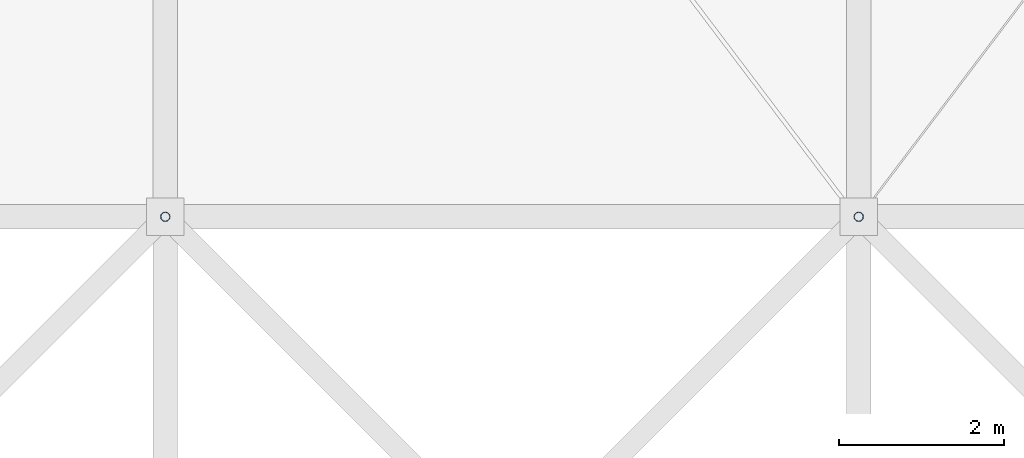
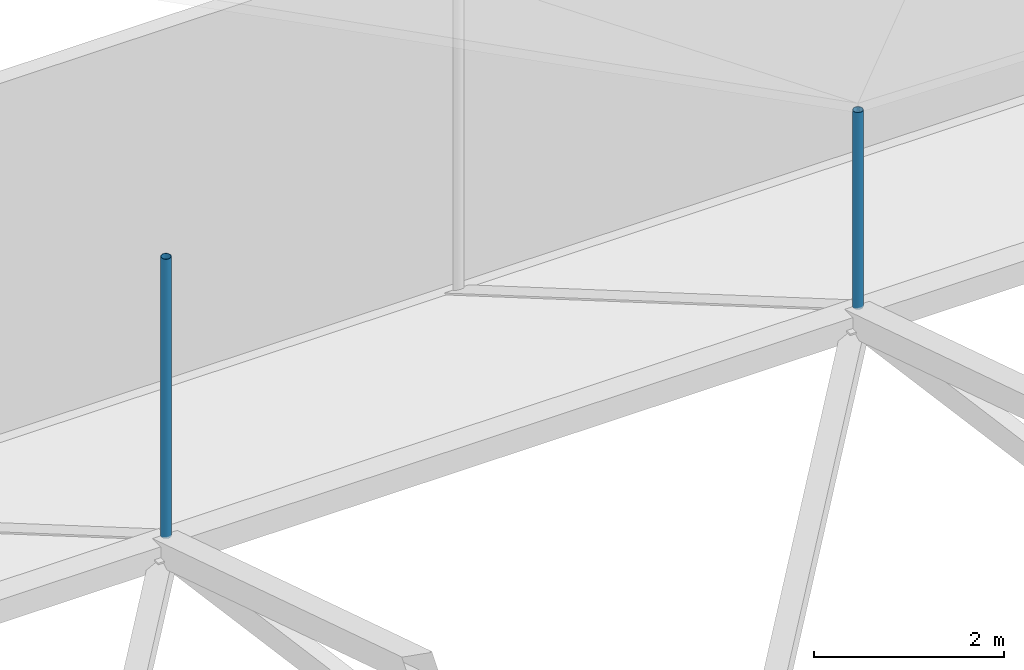
# One storey, part 97 of 111: 2 discrete accessories.
"""IFC4 building model written with IfcOpenShell, lengths in metres."""

from ifc_helpers import new_model, si_unit, direction, frame, origin, origin_2d, place, context, subcontext, project, spatial, hollow_circle, extrude, material, material_profile, profile_set, type_object, element, save


model = new_model("IFC4")

# Units and contexts
model_context = context("Model", 3, precision=1e-05, world=origin(), true_north=direction((0.0, 1.0)))
body_context = subcontext(model_context, "Body", "Model", "MODEL_VIEW")
ifc_project = project(units=[si_unit("LENGTHUNIT", "METRE"), si_unit("AREAUNIT", "SQUARE_METRE"), si_unit("VOLUMEUNIT", "CUBIC_METRE"), si_unit("PLANEANGLEUNIT", "RADIAN"), si_unit("MASSUNIT", "GRAM", prefix="KILO")], contexts=[model_context])

# Site, building, storey
site_placement = place(None, origin())
site = spatial("IfcSite", under=ifc_project, at=site_placement, CompositionType="ELEMENT")
building_placement = place(site_placement, origin())
building = spatial("IfcBuilding", under=site, at=building_placement, Name="Rain Tree Exposition and Congress Centre", CompositionType="ELEMENT")
storey_placement = place(building_placement, frame((0.0, 0.0, 19.5)))
storey = spatial("IfcBuildingStorey", under=building, at=storey_placement, Name="RF", CompositionType="ELEMENT", Elevation=19.5)

# Discrete accessories
ifc_material = material(Name="Steel S355J2H", Category="steel")
ifc_material_profile = material_profile(ifc_material, hollow_circle(Radius=0.05712890625, WallThickness=0.00439453125, at=origin_2d()), Name="CHS 114x4.5")
ifc_profile_set = profile_set([ifc_material_profile], Name="Steel S355J2H")
discrete_accessory_type = type_object("IfcDiscreteAccessoryType", Name="Roof skin post CHS 114x4.5", PredefinedType="BRACKET", material=ifc_profile_set)
discrete_accessory_1_placement = place(storey_placement, frame((210.0, 193.199951171875, 5.39404296875), z_axis=(0.0, 0.0, 1.0), x_axis=(1.0, 0.0, 0.0)))
element("IfcDiscreteAccessory", 1, at=discrete_accessory_1_placement, inside=storey, type_object=discrete_accessory_type, Name="Roof skin post B152", PredefinedType="BRACKET", context=body_context, shape_type="SweptSolid", body=[
    extrude(hollow_circle(Radius=0.05712890625, WallThickness=0.00439453125, at=origin_2d()), origin(), (0.0, 0.0, 1.0), 3.5849609375),
])
discrete_accessory_2_placement = place(storey_placement, frame((218.39990234375, 193.199951171875, 5.39404296875), z_axis=(0.0, 0.0, 1.0), x_axis=(1.0, 0.0, 0.0)))
element("IfcDiscreteAccessory", 2, at=discrete_accessory_2_placement, inside=storey, type_object=discrete_accessory_type, Name="Roof skin post B153", PredefinedType="BRACKET", context=body_context, shape_type="SweptSolid", body=[
    extrude(hollow_circle(Radius=0.05712890625, WallThickness=0.00439453125, at=origin_2d()), origin(), (0.0, 0.0, 1.0), 2.526611328125),
])

save(model, "model.ifc")
